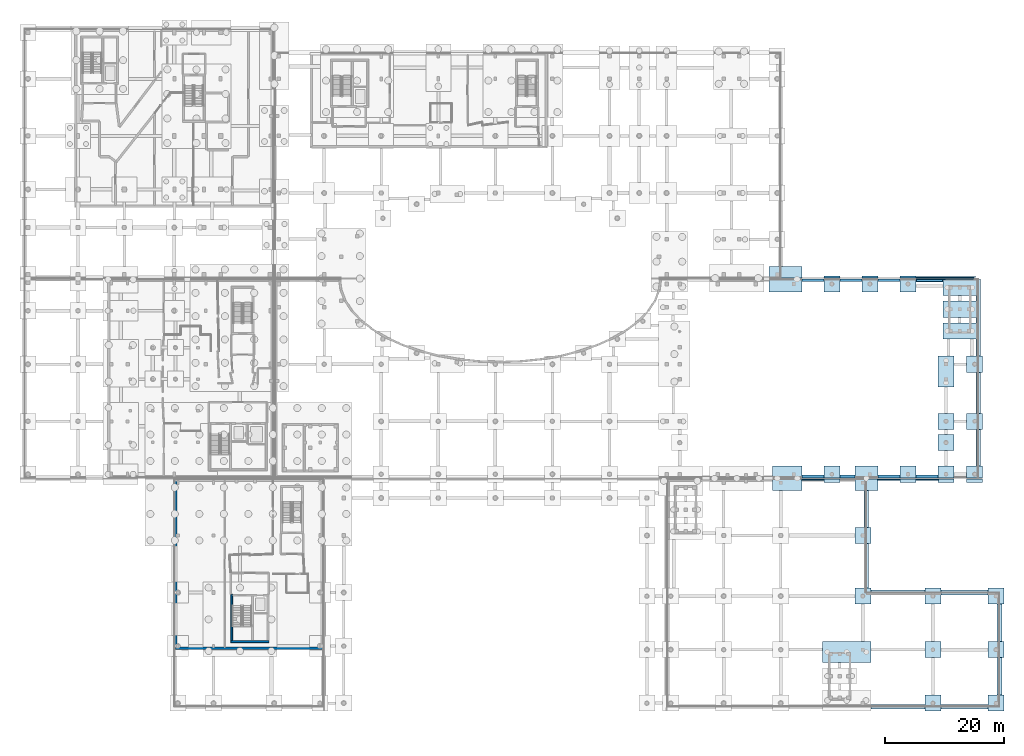
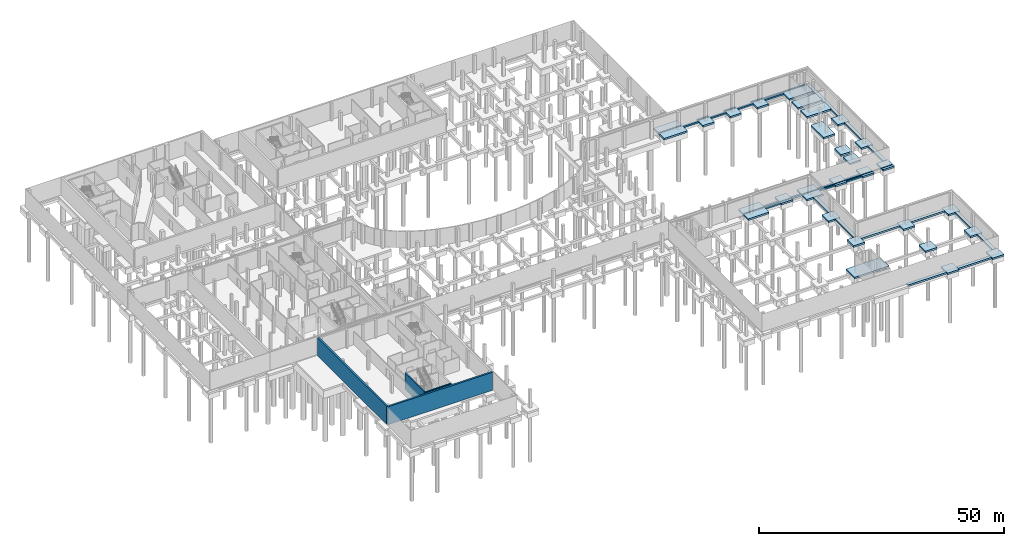
# One storey, part 19 of 40: 60 slabs, 4 walls.
"""IFC4 building model written with IfcOpenShell, lengths in metres."""

from ifc_helpers import new_model, si_unit, direction, frame, frame_2d, origin, place, context, subcontext, project, spatial, polyline, rectangle, outline, extrude, material, layer, layer_set, type_object, element, save


model = new_model("IFC4")

# Units and contexts
model_context = context("Model", 3, precision=1e-05, world=origin(), true_north=direction((0.0, 1.0)))
body_context = subcontext(model_context, "Body", "Model", "MODEL_VIEW")
ifc_project = project(units=[si_unit("LENGTHUNIT", "METRE"), si_unit("AREAUNIT", "SQUARE_METRE"), si_unit("VOLUMEUNIT", "CUBIC_METRE"), si_unit("PLANEANGLEUNIT", "RADIAN"), si_unit("MASSUNIT", "GRAM", prefix="KILO")], contexts=[model_context])

# Site, building, storey
site_placement = place(None, origin())
site = spatial("IfcSite", under=ifc_project, at=site_placement, CompositionType="ELEMENT")
building_placement = place(site_placement, origin())
building = spatial("IfcBuilding", under=site, at=building_placement, Name="Mzevani Central Library", CompositionType="ELEMENT")
storey_placement = place(building_placement, frame((0.0, 0.0, -4.5)))
storey = spatial("IfcBuildingStorey", under=building, at=storey_placement, Name="B1", CompositionType="ELEMENT", Elevation=-4.5)

# Slabs
ifc_material_1 = material(Name="Concrete C40/50", Category="concrete")
ifc_layer_1 = layer(ifc_material_1, 0.419921875, Name="Basement Mat Base Slab 420")
ifc_layer_set_1 = layer_set([ifc_layer_1], Name="Concrete C40/50")
slab_type = type_object("IfcSlabType", Name="Basement Mat Base Slab 420", PredefinedType="BASESLAB", material=ifc_layer_set_1)
slab_1_placement = place(storey_placement, frame((0.0, 0.0, -0.419921875)))
element("IfcSlab", 1, at=slab_1_placement, inside=storey, type_object=slab_type, Name="B1 Foundation Plinth Collar (35)", PredefinedType="BASESLAB", context=body_context, shape_type="SweptSolid", body=[
    extrude(outline(polyline([(157.64990234375, 42.300048828125), (160.35009765625, 42.300048828125), (160.35009765625, 41.75), (157.64990234375, 41.75), (157.64990234375, 42.300048828125)])), origin(), (0.0, 0.0, 1.0), 0.419921875),
])
slab_2_placement = place(storey_placement, frame((0.0, 0.0, -0.419921875)))
element("IfcSlab", 2, at=slab_2_placement, inside=storey, type_object=slab_type, Name="B1 Foundation Plinth Collar (36)", PredefinedType="BASESLAB", context=body_context, shape_type="SweptSolid", body=[
    extrude(outline(polyline([(157.64990234375, 44.449951171875), (160.35009765625, 44.449951171875), (160.35009765625, 42.5), (157.64990234375, 42.5), (157.64990234375, 44.449951171875)])), origin(), (0.0, 0.0, 1.0), 0.419921875),
])
slab_3_placement = place(storey_placement, frame((0.0, 0.0, -0.419921875)))
element("IfcSlab", 3, at=slab_3_placement, inside=storey, type_object=slab_type, Name="B1 Foundation Plinth Collar (37)", PredefinedType="BASESLAB", context=body_context, shape_type="SweptSolid", body=[
    extrude(outline(polyline([(157.64990234375, 53.35009765625), (160.35009765625, 53.35009765625), (160.35009765625, 50.64990234375), (157.64990234375, 50.64990234375), (157.64990234375, 53.35009765625)])), origin(), (0.0, 0.0, 1.0), 0.419921875),
])
slab_4_placement = place(storey_placement, frame((0.0, 0.0, -0.419921875)))
element("IfcSlab", 4, at=slab_4_placement, inside=storey, type_object=slab_type, Name="B1 Foundation Plinth Collar (38)", PredefinedType="BASESLAB", context=body_context, shape_type="SweptSolid", body=[
    extrude(outline(polyline([(157.64990234375, 62.949951171875), (160.35009765625, 62.949951171875), (160.35009765625, 57.75), (157.64990234375, 57.75), (157.64990234375, 62.949951171875)])), origin(), (0.0, 0.0, 1.0), 0.419921875),
])
slab_5_placement = place(storey_placement, frame((0.0, 0.0, -0.419921875)))
element("IfcSlab", 5, at=slab_5_placement, inside=storey, type_object=slab_type, Name="B1 Foundation Plinth Collar (39)", PredefinedType="BASESLAB", context=body_context, shape_type="SweptSolid", body=[
    extrude(outline(polyline([(162.449951171875, 42.300048828125), (165.14990234375, 42.300048828125), (165.14990234375, 41.75), (162.449951171875, 41.75), (162.449951171875, 42.300048828125)])), origin(), (0.0, 0.0, 1.0), 0.419921875),
])
slab_6_placement = place(storey_placement, frame((0.0, 0.0, -0.419921875)))
element("IfcSlab", 6, at=slab_6_placement, inside=storey, type_object=slab_type, Name="B1 Foundation Plinth Collar (40)", PredefinedType="BASESLAB", context=body_context, shape_type="SweptSolid", body=[
    extrude(outline(polyline([(162.449951171875, 44.449951171875), (165.14990234375, 44.449951171875), (165.14990234375, 42.5), (162.449951171875, 42.5), (162.449951171875, 44.449951171875)])), origin(), (0.0, 0.0, 1.0), 0.419921875),
])
slab_7_placement = place(storey_placement, frame((0.0, 0.0, -0.419921875)))
element("IfcSlab", 7, at=slab_7_placement, inside=storey, type_object=slab_type, Name="B1 Foundation Plinth Collar (41)", PredefinedType="BASESLAB", context=body_context, shape_type="SweptSolid", body=[
    extrude(outline(polyline([(162.449951171875, 53.35009765625), (165.14990234375, 53.35009765625), (165.14990234375, 50.64990234375), (162.449951171875, 50.64990234375), (162.449951171875, 53.35009765625)])), origin(), (0.0, 0.0, 1.0), 0.419921875),
])
slab_8_placement = place(storey_placement, frame((0.0, 0.0, -0.419921875)))
element("IfcSlab", 8, at=slab_8_placement, inside=storey, type_object=slab_type, Name="B1 Foundation Plinth Collar (42)", PredefinedType="BASESLAB", context=body_context, shape_type="SweptSolid", body=[
    extrude(outline(polyline([(162.449951171875, 62.949951171875), (165.14990234375, 62.949951171875), (165.14990234375, 60.25), (162.449951171875, 60.25), (162.449951171875, 62.949951171875)])), origin(), (0.0, 0.0, 1.0), 0.419921875),
])
slab_9_placement = place(storey_placement, frame((0.0, 0.0, -0.419921875)))
element("IfcSlab", 9, at=slab_9_placement, inside=storey, type_object=slab_type, Name="B1 Foundation Plinth Collar (47)", PredefinedType="BASESLAB", context=body_context, shape_type="SweptSolid", body=[
    extrude(outline(polyline([(129.85009765625, 42.300048828125), (134.75, 42.300048828125), (134.75, 40.35009765625), (129.85009765625, 40.35009765625), (129.85009765625, 42.300048828125)])), origin(), (0.0, 0.0, 1.0), 0.419921875),
])
slab_10_placement = place(storey_placement, frame((0.0, 0.0, -0.419921875)))
element("IfcSlab", 10, at=slab_10_placement, inside=storey, type_object=slab_type, Name="B1 Foundation Plinth Collar (48)", PredefinedType="BASESLAB", context=body_context, shape_type="SweptSolid", body=[
    extrude(outline(polyline([(129.85009765625, 44.449951171875), (134.75, 44.449951171875), (134.75, 42.5), (129.85009765625, 42.5), (129.85009765625, 44.449951171875)])), origin(), (0.0, 0.0, 1.0), 0.419921875),
])
slab_11_placement = place(storey_placement, frame((0.0, 0.0, -0.419921875)))
element("IfcSlab", 11, at=slab_11_placement, inside=storey, type_object=slab_type, Name="B1 Foundation Plinth Collar (49)", PredefinedType="BASESLAB", context=body_context, shape_type="SweptSolid", body=[
    extrude(outline(polyline([(129.25, 75.89990234375), (134.75, 75.89990234375), (134.75, 73.75), (129.25, 73.75), (129.25, 75.89990234375)])), origin(), (0.0, 0.0, 1.0), 0.419921875),
])
slab_12_placement = place(storey_placement, frame((0.0, 0.0, -0.419921875)))
element("IfcSlab", 12, at=slab_12_placement, inside=storey, type_object=slab_type, Name="B1 Foundation Plinth Collar (50)", PredefinedType="BASESLAB", context=body_context, shape_type="SweptSolid", body=[
    extrude(outline(polyline([(129.25, 78.050048828125), (134.75, 78.050048828125), (134.75, 76.10009765625), (129.25, 76.10009765625), (129.25, 78.050048828125)])), origin(), (0.0, 0.0, 1.0), 0.419921875),
])
slab_13_placement = place(storey_placement, frame((0.0, 0.0, -0.419921875)))
element("IfcSlab", 13, at=slab_13_placement, inside=storey, type_object=slab_type, Name="B1 Foundation Plinth Collar (51)", PredefinedType="BASESLAB", context=body_context, shape_type="SweptSolid", body=[
    extrude(outline(polyline([(138.449951171875, 42.300048828125), (141.14990234375, 42.300048828125), (141.14990234375, 41.75), (138.449951171875, 41.75), (138.449951171875, 42.300048828125)])), origin(), (0.0, 0.0, 1.0), 0.419921875),
])
slab_14_placement = place(storey_placement, frame((0.0, 0.0, -0.419921875)))
element("IfcSlab", 14, at=slab_14_placement, inside=storey, type_object=slab_type, Name="B1 Foundation Plinth Collar (52)", PredefinedType="BASESLAB", context=body_context, shape_type="SweptSolid", body=[
    extrude(outline(polyline([(138.449951171875, 44.449951171875), (141.14990234375, 44.449951171875), (141.14990234375, 42.5), (138.449951171875, 42.5), (138.449951171875, 44.449951171875)])), origin(), (0.0, 0.0, 1.0), 0.419921875),
])
slab_15_placement = place(storey_placement, frame((0.0, 0.0, -0.419921875)))
element("IfcSlab", 15, at=slab_15_placement, inside=storey, type_object=slab_type, Name="B1 Foundation Plinth Collar (53)", PredefinedType="BASESLAB", context=body_context, shape_type="SweptSolid", body=[
    extrude(outline(polyline([(138.449951171875, 75.89990234375), (141.14990234375, 75.89990234375), (141.14990234375, 73.75), (138.449951171875, 73.75), (138.449951171875, 75.89990234375)])), origin(), (0.0, 0.0, 1.0), 0.419921875),
])
slab_16_placement = place(storey_placement, frame((0.0, 0.0, -0.419921875)))
element("IfcSlab", 16, at=slab_16_placement, inside=storey, type_object=slab_type, Name="B1 Foundation Plinth Collar (54)", PredefinedType="BASESLAB", context=body_context, shape_type="SweptSolid", body=[
    extrude(outline(polyline([(138.449951171875, 76.449951171875), (141.14990234375, 76.449951171875), (141.14990234375, 76.10009765625), (138.449951171875, 76.10009765625), (138.449951171875, 76.449951171875)])), origin(), (0.0, 0.0, 1.0), 0.419921875),
])
slab_17_placement = place(storey_placement, frame((0.0, 0.0, -0.419921875)))
element("IfcSlab", 17, at=slab_17_placement, inside=storey, type_object=slab_type, Name="B1 Foundation Plinth Collar (55)", PredefinedType="BASESLAB", context=body_context, shape_type="SweptSolid", body=[
    extrude(outline(polyline([(143.64990234375, 42.300048828125), (147.550048828125, 42.300048828125), (147.550048828125, 40.35009765625), (143.64990234375, 40.35009765625), (143.64990234375, 42.300048828125)])), origin(), (0.0, 0.0, 1.0), 0.419921875),
])
slab_18_placement = place(storey_placement, frame((0.0, 0.0, -0.419921875)))
element("IfcSlab", 18, at=slab_18_placement, inside=storey, type_object=slab_type, Name="B1 Foundation Plinth Collar (56)", PredefinedType="BASESLAB", context=body_context, shape_type="SweptSolid", body=[
    extrude(outline(polyline([(143.64990234375, 44.449951171875), (147.550048828125, 44.449951171875), (147.550048828125, 42.5), (143.64990234375, 42.5), (143.64990234375, 44.449951171875)])), origin(), (0.0, 0.0, 1.0), 0.419921875),
])
slab_19_placement = place(storey_placement, frame((0.0, 0.0, -0.419921875)))
element("IfcSlab", 19, at=slab_19_placement, inside=storey, type_object=slab_type, Name="B1 Foundation Plinth Collar (57)", PredefinedType="BASESLAB", context=body_context, shape_type="SweptSolid", body=[
    extrude(outline(polyline([(144.85009765625, 75.89990234375), (147.550048828125, 75.89990234375), (147.550048828125, 73.75), (144.85009765625, 73.75), (144.85009765625, 75.89990234375)])), origin(), (0.0, 0.0, 1.0), 0.419921875),
])
slab_20_placement = place(storey_placement, frame((0.0, 0.0, -0.419921875)))
element("IfcSlab", 20, at=slab_20_placement, inside=storey, type_object=slab_type, Name="B1 Foundation Plinth Collar (58)", PredefinedType="BASESLAB", context=body_context, shape_type="SweptSolid", body=[
    extrude(outline(polyline([(144.85009765625, 76.449951171875), (147.550048828125, 76.449951171875), (147.550048828125, 76.10009765625), (144.85009765625, 76.10009765625), (144.85009765625, 76.449951171875)])), origin(), (0.0, 0.0, 1.0), 0.419921875),
])
slab_21_placement = place(storey_placement, frame((0.0, 0.0, -0.419921875)))
element("IfcSlab", 21, at=slab_21_placement, inside=storey, type_object=slab_type, Name="B1 Foundation Plinth Collar (59)", PredefinedType="BASESLAB", context=body_context, shape_type="SweptSolid", body=[
    extrude(outline(polyline([(151.25, 42.300048828125), (153.949951171875, 42.300048828125), (153.949951171875, 41.75), (151.25, 41.75), (151.25, 42.300048828125)])), origin(), (0.0, 0.0, 1.0), 0.419921875),
])
slab_22_placement = place(storey_placement, frame((0.0, 0.0, -0.419921875)))
element("IfcSlab", 22, at=slab_22_placement, inside=storey, type_object=slab_type, Name="B1 Foundation Plinth Collar (60)", PredefinedType="BASESLAB", context=body_context, shape_type="SweptSolid", body=[
    extrude(outline(polyline([(151.25, 44.449951171875), (153.949951171875, 44.449951171875), (153.949951171875, 42.5), (151.25, 42.5), (151.25, 44.449951171875)])), origin(), (0.0, 0.0, 1.0), 0.419921875),
])
slab_23_placement = place(storey_placement, frame((0.0, 0.0, -0.419921875)))
element("IfcSlab", 23, at=slab_23_placement, inside=storey, type_object=slab_type, Name="B1 Foundation Plinth Collar (61)", PredefinedType="BASESLAB", context=body_context, shape_type="SweptSolid", body=[
    extrude(outline(polyline([(151.25, 75.89990234375), (153.949951171875, 75.89990234375), (153.949951171875, 73.75), (151.25, 73.75), (151.25, 75.89990234375)])), origin(), (0.0, 0.0, 1.0), 0.419921875),
])
slab_24_placement = place(storey_placement, frame((0.0, 0.0, -0.419921875)))
element("IfcSlab", 24, at=slab_24_placement, inside=storey, type_object=slab_type, Name="B1 Foundation Plinth Collar (62)", PredefinedType="BASESLAB", context=body_context, shape_type="SweptSolid", body=[
    extrude(outline(polyline([(151.25, 76.449951171875), (153.949951171875, 76.449951171875), (153.949951171875, 76.10009765625), (151.25, 76.10009765625), (151.25, 76.449951171875)])), origin(), (0.0, 0.0, 1.0), 0.419921875),
])
slab_25_placement = place(storey_placement, frame((0.0, 0.0, -0.419921875)))
element("IfcSlab", 25, at=slab_25_placement, inside=storey, type_object=slab_type, Name="B1 Foundation Plinth Collar (64)", PredefinedType="BASESLAB", context=body_context, shape_type="SweptSolid", body=[
    extrude(outline(polyline([(157.64990234375, 49.782958984375), (160.35009765625, 49.782958984375), (160.35009765625, 47.0830078125), (157.64990234375, 47.0830078125), (157.64990234375, 49.782958984375)])), origin(), (0.0, 0.0, 1.0), 0.419921875),
])
slab_26_placement = place(storey_placement, frame((0.0, 0.0, -0.419921875)))
element("IfcSlab", 26, at=slab_26_placement, inside=storey, type_object=slab_type, Name="B1 Foundation Plinth Collar (171)", PredefinedType="BASESLAB", context=body_context, shape_type="SweptSolid", body=[
    extrude(outline(polyline([(138.25, 14.949951171875), (146.35009765625, 14.949951171875), (146.35009765625, 11.449951171875), (138.25, 11.449951171875), (138.25, 14.949951171875)])), origin(), (0.0, 0.0, 1.0), 0.419921875),
])
slab_27_placement = place(storey_placement, frame((0.0, 0.0, -0.419921875)))
element("IfcSlab", 27, at=slab_27_placement, inside=storey, type_object=slab_type, Name="B1 Foundation Plinth Collar (172)", PredefinedType="BASESLAB", context=body_context, shape_type="SweptSolid", body=[
    extrude(outline(polyline([(143.64990234375, 23.949951171875), (146.35009765625, 23.949951171875), (146.35009765625, 21.25), (143.64990234375, 21.25), (143.64990234375, 23.949951171875)])), origin(), (0.0, 0.0, 1.0), 0.419921875),
])
slab_28_placement = place(storey_placement, frame((0.0, 0.0, -0.419921875)))
element("IfcSlab", 28, at=slab_28_placement, inside=storey, type_object=slab_type, Name="B1 Foundation Plinth Collar (173)", PredefinedType="BASESLAB", context=body_context, shape_type="SweptSolid", body=[
    extrude(outline(polyline([(143.64990234375, 34.14990234375), (146.35009765625, 34.14990234375), (146.35009765625, 31.449951171875), (143.64990234375, 31.449951171875), (143.64990234375, 34.14990234375)])), origin(), (0.0, 0.0, 1.0), 0.419921875),
])
slab_29_placement = place(storey_placement, frame((0.0, 0.0, -0.419921875)))
element("IfcSlab", 29, at=slab_29_placement, inside=storey, type_object=slab_type, Name="B1 Foundation Plinth Collar (174)", PredefinedType="BASESLAB", context=body_context, shape_type="SweptSolid", body=[
    extrude(outline(polyline([(155.449951171875, 5.949951171875), (158.14990234375, 5.949951171875), (158.14990234375, 3.25), (155.449951171875, 3.25), (155.449951171875, 5.949951171875)])), origin(), (0.0, 0.0, 1.0), 0.419921875),
])
slab_30_placement = place(storey_placement, frame((0.0, 0.0, -0.419921875)))
element("IfcSlab", 30, at=slab_30_placement, inside=storey, type_object=slab_type, Name="B1 Foundation Plinth Collar (175)", PredefinedType="BASESLAB", context=body_context, shape_type="SweptSolid", body=[
    extrude(outline(polyline([(155.449951171875, 14.949951171875), (158.14990234375, 14.949951171875), (158.14990234375, 12.25), (155.449951171875, 12.25), (155.449951171875, 14.949951171875)])), origin(), (0.0, 0.0, 1.0), 0.419921875),
])
slab_31_placement = place(storey_placement, frame((0.0, 0.0, -0.419921875)))
element("IfcSlab", 31, at=slab_31_placement, inside=storey, type_object=slab_type, Name="B1 Foundation Plinth Collar (176)", PredefinedType="BASESLAB", context=body_context, shape_type="SweptSolid", body=[
    extrude(outline(polyline([(155.449951171875, 23.949951171875), (158.14990234375, 23.949951171875), (158.14990234375, 21.25), (155.449951171875, 21.25), (155.449951171875, 23.949951171875)])), origin(), (0.0, 0.0, 1.0), 0.419921875),
])
slab_32_placement = place(storey_placement, frame((0.0, 0.0, -0.419921875)))
element("IfcSlab", 32, at=slab_32_placement, inside=storey, type_object=slab_type, Name="B1 Foundation Plinth Collar (177)", PredefinedType="BASESLAB", context=body_context, shape_type="SweptSolid", body=[
    extrude(outline(polyline([(166.050048828125, 5.949951171875), (168.75, 5.949951171875), (168.75, 3.25), (166.050048828125, 3.25), (166.050048828125, 5.949951171875)])), origin(), (0.0, 0.0, 1.0), 0.419921875),
])
slab_33_placement = place(storey_placement, frame((0.0, 0.0, -0.419921875)))
element("IfcSlab", 33, at=slab_33_placement, inside=storey, type_object=slab_type, Name="B1 Foundation Plinth Collar (178)", PredefinedType="BASESLAB", context=body_context, shape_type="SweptSolid", body=[
    extrude(outline(polyline([(166.050048828125, 14.949951171875), (168.75, 14.949951171875), (168.75, 12.25), (166.050048828125, 12.25), (166.050048828125, 14.949951171875)])), origin(), (0.0, 0.0, 1.0), 0.419921875),
])
slab_34_placement = place(storey_placement, frame((0.0, 0.0, -0.419921875)))
element("IfcSlab", 34, at=slab_34_placement, inside=storey, type_object=slab_type, Name="B1 Foundation Plinth Collar (179)", PredefinedType="BASESLAB", context=body_context, shape_type="SweptSolid", body=[
    extrude(outline(polyline([(166.050048828125, 23.949951171875), (168.75, 23.949951171875), (168.75, 21.25), (166.050048828125, 21.25), (166.050048828125, 23.949951171875)])), origin(), (0.0, 0.0, 1.0), 0.419921875),
])
slab_35_placement = place(storey_placement, frame((0.0, 0.0, -0.419921875)))
element("IfcSlab", 35, at=slab_35_placement, inside=storey, type_object=slab_type, Name="B1 Foundation Plinth Collar (193)", PredefinedType="BASESLAB", context=body_context, shape_type="SweptSolid", body=[
    extrude(outline(polyline([(158.449951171875, 68.550048828125), (164.14990234375, 68.550048828125), (164.14990234375, 65.85009765625), (158.449951171875, 65.85009765625), (158.449951171875, 68.550048828125)])), origin(), (0.0, 0.0, 1.0), 0.419921875),
])
slab_36_placement = place(storey_placement, frame((0.0, 0.0, -0.419921875)))
element("IfcSlab", 36, at=slab_36_placement, inside=storey, type_object=slab_type, Name="B1 Foundation Plinth Collar (194)", PredefinedType="BASESLAB", context=body_context, shape_type="SweptSolid", body=[
    extrude(outline(polyline([(158.449951171875, 72.199951171875), (164.14990234375, 72.199951171875), (164.14990234375, 69.5), (158.449951171875, 69.5), (158.449951171875, 72.199951171875)])), origin(), (0.0, 0.0, 1.0), 0.419921875),
])
slab_37_placement = place(storey_placement, frame((0.0, 0.0, -0.419921875)))
element("IfcSlab", 37, at=slab_37_placement, inside=storey, type_object=slab_type, Name="B1 Foundation Plinth Collar (195)", PredefinedType="BASESLAB", context=body_context, shape_type="SweptSolid", body=[
    extrude(outline(polyline([(158.449951171875, 75.85009765625), (164.14990234375, 75.85009765625), (164.14990234375, 73.14990234375), (158.449951171875, 73.14990234375), (158.449951171875, 75.85009765625)])), origin(), (0.0, 0.0, 1.0), 0.419921875),
])
slab_38_placement = place(storey_placement, frame((0.0, 0.0, -0.419921875)))
element("IfcSlab", 38, at=slab_38_placement, inside=storey, type_object=slab_type, Name="B1 Strip Footing Plinth Collar (200)", PredefinedType="BASESLAB", context=body_context, shape_type="SweptSolid", body=[
    extrude(outline(polyline([(164.800048828125, 44.449951171875), (164.0, 44.449951171875), (164.0, 50.64990234375), (164.800048828125, 50.64990234375), (164.800048828125, 44.449951171875)])), origin(), (0.0, 0.0, 1.0), 0.419921875),
])
slab_39_placement = place(storey_placement, frame((0.0, 0.0, -0.419921875)))
element("IfcSlab", 39, at=slab_39_placement, inside=storey, type_object=slab_type, Name="B1 Strip Footing Plinth Collar (201)", PredefinedType="BASESLAB", context=body_context, shape_type="SweptSolid", body=[
    extrude(outline(polyline([(164.800048828125, 53.35009765625), (164.0, 53.35009765625), (164.0, 60.25), (164.800048828125, 60.25), (164.800048828125, 53.35009765625)])), origin(), (0.0, 0.0, 1.0), 0.419921875),
])
slab_40_placement = place(storey_placement, frame((0.0, 0.0, -0.419921875)))
element("IfcSlab", 40, at=slab_40_placement, inside=storey, type_object=slab_type, Name="B1 Strip Footing Plinth Collar (202)", PredefinedType="BASESLAB", context=body_context, shape_type="SweptSolid", body=[
    extrude(outline(polyline([(164.14990234375, 68.550048828125), (164.0, 68.550048828125), (164.0, 69.5), (164.14990234375, 69.5), (164.14990234375, 72.199951171875), (164.0, 72.199951171875), (164.0, 73.14990234375), (164.14990234375, 73.14990234375), (164.14990234375, 75.85009765625), (164.0, 75.85009765625), (164.800048828125, 75.89990234375), (164.800048828125, 62.949951171875), (164.0, 62.949951171875), (164.0, 65.85009765625), (164.14990234375, 65.85009765625), (164.14990234375, 68.550048828125)])), origin(), (0.0, 0.0, 1.0), 0.419921875),
])
slab_41_placement = place(storey_placement, frame((0.0, 0.0, -0.419921875)))
element("IfcSlab", 41, at=slab_41_placement, inside=storey, type_object=slab_type, Name="B1 Strip Footing Plinth Collar (215)", PredefinedType="BASESLAB", context=body_context, shape_type="SweptSolid", body=[
    extrude(outline(polyline([(134.75, 42.300048828125), (138.449951171875, 42.300048828125), (138.449951171875, 42.050048828125), (134.75, 42.050048828125), (134.75, 42.300048828125)])), origin(), (0.0, 0.0, 1.0), 0.419921875),
])
slab_42_placement = place(storey_placement, frame((0.0, 0.0, -0.419921875)))
element("IfcSlab", 42, at=slab_42_placement, inside=storey, type_object=slab_type, Name="B1 Strip Footing Plinth Collar (216)", PredefinedType="BASESLAB", context=body_context, shape_type="SweptSolid", body=[
    extrude(outline(polyline([(134.75, 42.949951171875), (138.449951171875, 42.949951171875), (138.449951171875, 42.5), (134.75, 42.5), (134.75, 42.949951171875)])), origin(), (0.0, 0.0, 1.0), 0.419921875),
])
slab_43_placement = place(storey_placement, frame((0.0, 0.0, -0.419921875)))
element("IfcSlab", 43, at=slab_43_placement, inside=storey, type_object=slab_type, Name="B1 Strip Footing Plinth Collar (217)", PredefinedType="BASESLAB", context=body_context, shape_type="SweptSolid", body=[
    extrude(outline(polyline([(141.14990234375, 42.949951171875), (143.64990234375, 42.949951171875), (143.64990234375, 42.5), (141.14990234375, 42.5), (141.14990234375, 42.949951171875)])), origin(), (0.0, 0.0, 1.0), 0.419921875),
])
slab_44_placement = place(storey_placement, frame((0.0, 0.0, -0.419921875)))
element("IfcSlab", 44, at=slab_44_placement, inside=storey, type_object=slab_type, Name="B1 Strip Footing Plinth Collar (218)", PredefinedType="BASESLAB", context=body_context, shape_type="SweptSolid", body=[
    extrude(outline(polyline([(147.550048828125, 42.300048828125), (151.25, 42.300048828125), (151.25, 42.050048828125), (147.550048828125, 42.050048828125), (147.550048828125, 42.300048828125)])), origin(), (0.0, 0.0, 1.0), 0.419921875),
])
slab_45_placement = place(storey_placement, frame((0.0, 0.0, -0.419921875)))
element("IfcSlab", 45, at=slab_45_placement, inside=storey, type_object=slab_type, Name="B1 Strip Footing Plinth Collar (219)", PredefinedType="BASESLAB", context=body_context, shape_type="SweptSolid", body=[
    extrude(outline(polyline([(147.550048828125, 42.949951171875), (151.25, 42.949951171875), (151.25, 42.5), (147.550048828125, 42.5), (147.550048828125, 42.949951171875)])), origin(), (0.0, 0.0, 1.0), 0.419921875),
])
slab_46_placement = place(storey_placement, frame((0.0, 0.0, -0.419921875)))
element("IfcSlab", 46, at=slab_46_placement, inside=storey, type_object=slab_type, Name="B1 Strip Footing Plinth Collar (220)", PredefinedType="BASESLAB", context=body_context, shape_type="SweptSolid", body=[
    extrude(outline(polyline([(153.949951171875, 42.300048828125), (157.64990234375, 42.300048828125), (157.64990234375, 42.050048828125), (153.949951171875, 42.050048828125), (153.949951171875, 42.300048828125)])), origin(), (0.0, 0.0, 1.0), 0.419921875),
])
slab_47_placement = place(storey_placement, frame((0.0, 0.0, -0.419921875)))
element("IfcSlab", 47, at=slab_47_placement, inside=storey, type_object=slab_type, Name="B1 Strip Footing Plinth Collar (221)", PredefinedType="BASESLAB", context=body_context, shape_type="SweptSolid", body=[
    extrude(outline(polyline([(153.949951171875, 42.949951171875), (157.64990234375, 42.949951171875), (157.64990234375, 42.5), (153.949951171875, 42.5), (153.949951171875, 42.949951171875)])), origin(), (0.0, 0.0, 1.0), 0.419921875),
])
slab_48_placement = place(storey_placement, frame((0.0, 0.0, -0.419921875)))
element("IfcSlab", 48, at=slab_48_placement, inside=storey, type_object=slab_type, Name="B1 Strip Footing Plinth Collar (224)", PredefinedType="BASESLAB", context=body_context, shape_type="SweptSolid", body=[
    extrude(outline(polyline([(153.949951171875, 75.5), (153.949951171875, 75.89990234375), (163.560791015625, 75.89990234375), (158.449951171875, 75.85009765625), (158.449951171875, 75.5), (153.949951171875, 75.5)])), origin(), (0.0, 0.0, 1.0), 0.419921875),
])
slab_49_placement = place(storey_placement, frame((0.0, 0.0, -0.419921875)))
element("IfcSlab", 49, at=slab_49_placement, inside=storey, type_object=slab_type, Name="B1 Strip Footing Plinth Collar (225)", PredefinedType="BASESLAB", context=body_context, shape_type="SweptSolid", body=[
    extrude(outline(polyline([(153.949951171875, 76.300048828125), (163.986083984375, 76.300048828125), (163.690673828125, 76.177001953125), (163.636474609375, 76.10009765625), (153.949951171875, 76.10009765625), (153.949951171875, 76.300048828125)])), origin(), (0.0, 0.0, 1.0), 0.419921875),
])
slab_50_placement = place(storey_placement, frame((0.0, 0.0, -0.419921875)))
element("IfcSlab", 50, at=slab_50_placement, inside=storey, type_object=slab_type, Name="B1 Strip Footing Plinth Collar (226)", PredefinedType="BASESLAB", context=body_context, shape_type="SweptSolid", body=[
    extrude(outline(polyline([(151.25, 75.5), (147.550048828125, 75.5), (147.550048828125, 75.89990234375), (151.25, 75.89990234375), (151.25, 75.5)])), origin(), (0.0, 0.0, 1.0), 0.419921875),
])
slab_51_placement = place(storey_placement, frame((0.0, 0.0, -0.419921875)))
element("IfcSlab", 51, at=slab_51_placement, inside=storey, type_object=slab_type, Name="B1 Strip Footing Plinth Collar (227)", PredefinedType="BASESLAB", context=body_context, shape_type="SweptSolid", body=[
    extrude(outline(polyline([(144.85009765625, 75.5), (141.14990234375, 75.5), (141.14990234375, 75.89990234375), (144.85009765625, 75.89990234375), (144.85009765625, 75.5)])), origin(), (0.0, 0.0, 1.0), 0.419921875),
])
slab_52_placement = place(storey_placement, frame((0.0, 0.0, -0.419921875)))
element("IfcSlab", 52, at=slab_52_placement, inside=storey, type_object=slab_type, Name="B1 Strip Footing Plinth Collar (228)", PredefinedType="BASESLAB", context=body_context, shape_type="SweptSolid", body=[
    extrude(outline(polyline([(138.449951171875, 75.5), (134.75, 75.5), (134.75, 75.89990234375), (138.449951171875, 75.89990234375), (138.449951171875, 75.5)])), origin(), (0.0, 0.0, 1.0), 0.419921875),
])
slab_53_placement = place(storey_placement, frame((0.0, 0.0, -0.419921875)))
element("IfcSlab", 53, at=slab_53_placement, inside=storey, type_object=slab_type, Name="B1 Strip Footing Plinth Collar (271)", PredefinedType="BASESLAB", context=body_context, shape_type="SweptSolid", body=[
    extrude(outline(polyline([(167.60009765625, 5.949951171875), (167.60009765625, 12.25), (168.39990234375, 12.25), (168.39990234375, 5.949951171875), (167.60009765625, 5.949951171875)])), origin(), (0.0, 0.0, 1.0), 0.419921875),
])
slab_54_placement = place(storey_placement, frame((0.0, 0.0, -0.419921875)))
element("IfcSlab", 54, at=slab_54_placement, inside=storey, type_object=slab_type, Name="B1 Strip Footing Plinth Collar (272)", PredefinedType="BASESLAB", context=body_context, shape_type="SweptSolid", body=[
    extrude(outline(polyline([(167.60009765625, 14.949951171875), (167.60009765625, 21.25), (168.39990234375, 21.25), (168.39990234375, 14.949951171875), (167.60009765625, 14.949951171875)])), origin(), (0.0, 0.0, 1.0), 0.419921875),
])
slab_55_placement = place(storey_placement, frame((0.0, 0.0, -0.419921875)))
element("IfcSlab", 55, at=slab_55_placement, inside=storey, type_object=slab_type, Name="B1 Strip Footing Plinth Collar (276)", PredefinedType="BASESLAB", context=body_context, shape_type="SweptSolid", body=[
    extrude(outline(polyline([(146.35009765625, 4.39990234375), (155.449951171875, 4.39990234375), (155.449951171875, 3.60009765625), (146.35009765625, 3.60009765625), (146.35009765625, 4.39990234375)])), origin(), (0.0, 0.0, 1.0), 0.419921875),
])
slab_56_placement = place(storey_placement, frame((0.0, 0.0, -0.419921875)))
element("IfcSlab", 56, at=slab_56_placement, inside=storey, type_object=slab_type, Name="B1 Strip Footing Plinth Collar (277)", PredefinedType="BASESLAB", context=body_context, shape_type="SweptSolid", body=[
    extrude(outline(polyline([(158.14990234375, 4.39990234375), (166.050048828125, 4.39990234375), (166.050048828125, 3.60009765625), (158.14990234375, 3.60009765625), (158.14990234375, 4.39990234375)])), origin(), (0.0, 0.0, 1.0), 0.419921875),
])
slab_57_placement = place(storey_placement, frame((0.0, 0.0, -0.419921875)))
element("IfcSlab", 57, at=slab_57_placement, inside=storey, type_object=slab_type, Name="B1 Strip Footing Plinth Collar (284)", PredefinedType="BASESLAB", context=body_context, shape_type="SweptSolid", body=[
    extrude(outline(polyline([(145.199951171875, 23.949951171875), (145.199951171875, 31.449951171875), (146.0, 31.449951171875), (146.0, 23.949951171875), (145.199951171875, 23.949951171875)])), origin(), (0.0, 0.0, 1.0), 0.419921875),
])
slab_58_placement = place(storey_placement, frame((0.0, 0.0, -0.419921875)))
element("IfcSlab", 58, at=slab_58_placement, inside=storey, type_object=slab_type, Name="B1 Strip Footing Plinth Collar (285)", PredefinedType="BASESLAB", context=body_context, shape_type="SweptSolid", body=[
    extrude(outline(polyline([(145.199951171875, 34.14990234375), (145.199951171875, 40.35009765625), (146.0, 40.35009765625), (146.0, 34.14990234375), (145.199951171875, 34.14990234375)])), origin(), (0.0, 0.0, 1.0), 0.419921875),
])
slab_59_placement = place(storey_placement, frame((0.0, 0.0, -0.419921875)))
element("IfcSlab", 59, at=slab_59_placement, inside=storey, type_object=slab_type, Name="B1 Strip Footing Plinth Collar (286)", PredefinedType="BASESLAB", context=body_context, shape_type="SweptSolid", body=[
    extrude(outline(polyline([(166.050048828125, 22.800048828125), (158.14990234375, 22.800048828125), (158.14990234375, 23.60009765625), (166.050048828125, 23.60009765625), (166.050048828125, 22.800048828125)])), origin(), (0.0, 0.0, 1.0), 0.419921875),
])
slab_60_placement = place(storey_placement, frame((0.0, 0.0, -0.419921875)))
element("IfcSlab", 60, at=slab_60_placement, inside=storey, type_object=slab_type, Name="B1 Strip Footing Plinth Collar (287)", PredefinedType="BASESLAB", context=body_context, shape_type="SweptSolid", body=[
    extrude(outline(polyline([(155.449951171875, 22.800048828125), (146.35009765625, 22.800048828125), (146.35009765625, 23.60009765625), (155.449951171875, 23.60009765625), (155.449951171875, 22.800048828125)])), origin(), (0.0, 0.0, 1.0), 0.419921875),
])

# Walls
ifc_material_2 = material(Name="Concrete C35/45", Category="concrete")
ifc_layer_2 = layer(ifc_material_2, 0.419921875, Name="Basement Retaining Wall 420")
ifc_layer_set_2 = layer_set([ifc_layer_2], Name="Concrete C35/45")
wall_type_1 = type_object("IfcWallType", Name="Basement Retaining Wall 420", PredefinedType="SOLIDWALL", material=ifc_layer_set_2)
wall_1_placement = place(storey_placement, frame((54.090087890625, 13.81005859375, 0.0), z_axis=(0.0, 0.0, 1.0), x_axis=(-1.0, 0.0, 0.0)))
element("IfcWall", 61, at=wall_1_placement, inside=storey, type_object=wall_type_1, Name="B1 V4 Perimeter Retaining Wall (56)", PredefinedType="SOLIDWALL", context=body_context, shape_type="SweptSolid", body=[
    extrude(rectangle(XDim=24.68017578125, YDim=0.419921875, at=frame_2d((12.340087890625, 0.0))), origin(), (0.0, 0.0, 1.0), 4.5),
])
wall_2_placement = place(storey_placement, frame((29.409912109375, 13.81005859375, 0.0), z_axis=(0.0, 0.0, 1.0), x_axis=(0.0, 1.0, 0.0)))
element("IfcWall", 62, at=wall_2_placement, inside=storey, type_object=wall_type_1, Name="B1 V4 Perimeter Retaining Wall (57)", PredefinedType="SOLIDWALL", context=body_context, shape_type="SweptSolid", body=[
    extrude(rectangle(XDim=28.280029296875, YDim=0.419921875, at=frame_2d((14.14013671875, 0.0))), origin(), (0.0, 0.0, 1.0), 4.5),
])
ifc_layer_3 = layer(ifc_material_1, 0.300048828125, Name="Core Shear Wall 300")
ifc_layer_set_3 = layer_set([ifc_layer_3], Name="Concrete C40/50")
wall_type_2 = type_object("IfcWallType", Name="Core Shear Wall 300", PredefinedType="SHEAR", material=ifc_layer_set_3)
wall_3_placement = place(storey_placement, frame((45.10009765625, 14.949951171875, 0.0), z_axis=(0.0, 0.0, 1.0), x_axis=(-1.0, 0.0, 0.0)))
element("IfcWall", 63, at=wall_3_placement, inside=storey, type_object=wall_type_2, Name="B1 Core C4A Cultural Wing Core Shear Wall (-y)", PredefinedType="SHEAR", context=body_context, shape_type="SweptSolid", body=[
    extrude(rectangle(XDim=6.400146484375, YDim=0.300048828125, at=frame_2d((3.2001953125, 0.0))), origin(), (0.0, 0.0, 1.0), 4.10009765625),
])
wall_4_placement = place(storey_placement, frame((38.85009765625, 14.800048828125, 0.0), z_axis=(0.0, 0.0, 1.0), x_axis=(0.0, 1.0, 0.0)))
element("IfcWall", 64, at=wall_4_placement, inside=storey, type_object=wall_type_2, Name="B1 Core C4A Cultural Wing Core Shear Wall (-x)", PredefinedType="SHEAR", context=body_context, shape_type="SweptSolid", body=[
    extrude(rectangle(XDim=8.099853515625, YDim=0.300048828125, at=frame_2d((4.0498046875, 0.0))), origin(), (0.0, 0.0, 1.0), 4.10009765625),
])

save(model, "model.ifc")
